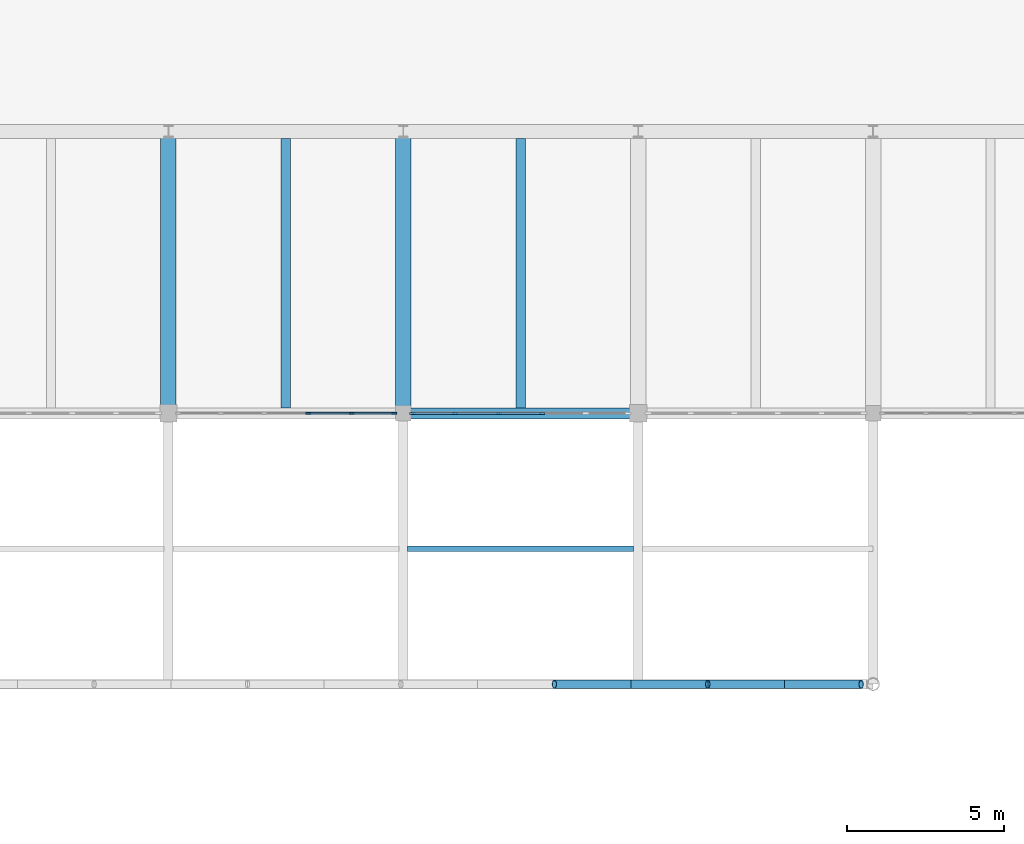
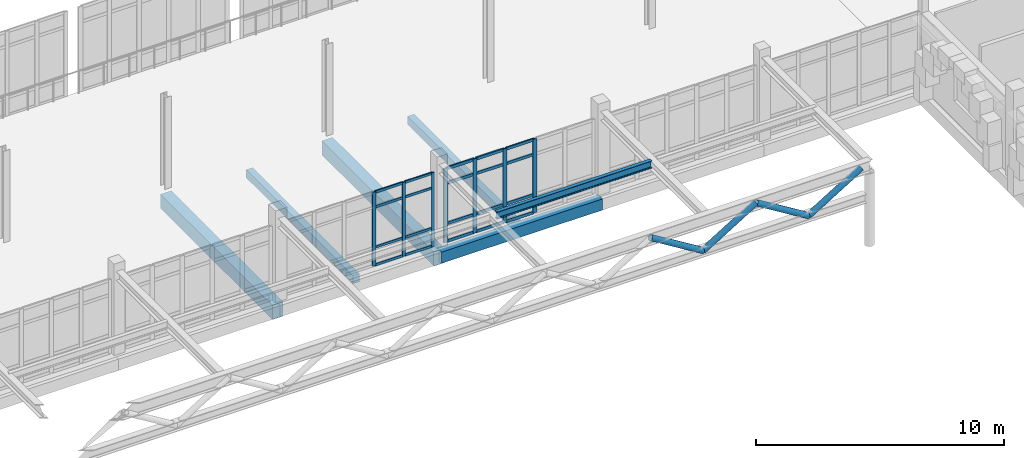
# One storey, part 29 of 128: 31 members, 6 beams, 2 elements without a shape of their own.
"""IFC4 building model written with IfcOpenShell, lengths in metres."""

from ifc_helpers import new_model, si_unit, direction, frame, origin, origin_2d, place, context, subcontext, project, spatial, rectangle, hollow_circle, i_section, extrude, material, layer, layer_set, material_profile, profile_set, type_object, element, aggregate, save


model = new_model("IFC4")

# Units and contexts
model_context = context("Model", 3, precision=1e-05, world=origin(), true_north=direction((0.0, 1.0)))
body_context = subcontext(model_context, "Body", "Model", "MODEL_VIEW")
ifc_project = project(units=[si_unit("LENGTHUNIT", "METRE"), si_unit("AREAUNIT", "SQUARE_METRE"), si_unit("VOLUMEUNIT", "CUBIC_METRE"), si_unit("PLANEANGLEUNIT", "RADIAN"), si_unit("MASSUNIT", "GRAM", prefix="KILO")], contexts=[model_context])

# Site, building, storey
site_placement = place(None, origin())
site = spatial("IfcSite", under=ifc_project, at=site_placement, CompositionType="ELEMENT")
building_placement = place(site_placement, origin())
building = spatial("IfcBuilding", under=site, at=building_placement, Name="Dalvernix Boulevard General Hospital", CompositionType="ELEMENT")
storey_placement = place(building_placement, frame((0.0, 0.0, 4.800048828125)))
storey = spatial("IfcBuildingStorey", under=building, at=storey_placement, Name="L01", CompositionType="ELEMENT", Elevation=4.800048828125)

# Beams
ifc_material_1 = material(Name="Concrete C35/45", Category="concrete")
ifc_material_profile_1 = material_profile(ifc_material_1, rectangle(XDim=0.5, YDim=0.699951171875, at=origin_2d()), Name="RCB 500x700")
ifc_profile_set_1 = profile_set([ifc_material_profile_1], Name="Concrete C35/45")
beam_type_1 = type_object("IfcBeamType", Name="BM-B-01-I", PredefinedType="BEAM", material=ifc_profile_set_1)
for number, where, z_axis, x_axis, name in (
    (1, (82.5, 22.5, -0.650146484375), (0.0, 1.0, 0.0), (-1.0, 0.0, 0.0), "L01 N-S girder 12:D-E"),
    (2, (90.0, 22.5, -0.650146484375), (0.0, 1.0, 0.0), (-1.0, 0.0, 0.0), "L01 N-S girder 13:D-E"),
):
    element("IfcBeam", number, at=place(storey_placement, frame(where, z_axis=z_axis, x_axis=x_axis)), inside=storey, type_object=beam_type_1, Name=name, PredefinedType="BEAM", context=body_context, shape_type="SweptSolid", body=[
        extrude(rectangle(XDim=0.5, YDim=0.699951171875, at=origin_2d()), origin(), (0.0, 0.0, 1.0), 9.0),
    ])
ifc_material_profile_2 = material_profile(ifc_material_1, rectangle(XDim=0.300048828125, YDim=0.39990234375, at=origin_2d()), Name="RCB 300x400")
ifc_profile_set_2 = profile_set([ifc_material_profile_2], Name="Concrete C35/45")
beam_type_2 = type_object("IfcBeamType", Name="BM-JB-01", PredefinedType="JOIST", material=ifc_profile_set_2)
for number, where, z_axis, x_axis, name in (
    (3, (86.25, 22.675048828125, -0.5), (0.0, 1.0, 0.0), (-1.0, 0.0, 0.0), "L01 secondary floor beam 12-D"),
    (4, (93.75, 22.675048828125, -0.5), (0.0, 1.0, 0.0), (-1.0, 0.0, 0.0), "L01 secondary floor beam 13-D"),
):
    element("IfcBeam", number, at=place(storey_placement, frame(where, z_axis=z_axis, x_axis=x_axis)), inside=storey, type_object=beam_type_2, Name=name, PredefinedType="JOIST", context=body_context, shape_type="SweptSolid", body=[
        extrude(rectangle(XDim=0.300048828125, YDim=0.39990234375, at=origin_2d()), origin(), (0.0, 0.0, 1.0), 8.599853515625),
    ])
ifc_material_2 = material(Name="Steel S355", Category="steel")
ifc_material_profile_3 = material_profile(ifc_material_2, i_section(OverallWidth=0.169921875, OverallDepth=0.360107421875, WebThickness=0.008056640625, FlangeThickness=0.0126953125, FilletRadius=0.01806640625, at=origin_2d()), Name="IPE 360")
ifc_profile_set_3 = profile_set([ifc_material_profile_3], Name="Steel S355")
beam_type_3 = type_object("IfcBeamType", Name="BM-RB-08", PredefinedType="BEAM", material=ifc_profile_set_3)
beam_1_placement = place(storey_placement, frame((90.14208984375, 18.179931640625, 4.0), z_axis=(1.0, 0.0, 0.0), x_axis=(0.0, 1.0, 0.0)))
element("IfcBeam", 5, at=beam_1_placement, inside=storey, type_object=beam_type_3, Name="Porte-cochere canopy purlin 4", PredefinedType="BEAM", context=body_context, shape_type="SweptSolid", body=[
    extrude(i_section(OverallWidth=0.169921875, OverallDepth=0.360107421875, WebThickness=0.008056640625, FlangeThickness=0.0126953125, FilletRadius=0.01806640625, at=origin_2d()), origin(), (0.0, 0.0, 1.0), 7.2158203125),
])
ifc_material_profile_4 = material_profile(ifc_material_1, rectangle(XDim=0.35009765625, YDim=0.550048828125, at=origin_2d()), Name="RCB 350x550")
ifc_profile_set_4 = profile_set([ifc_material_profile_4], Name="Concrete C35/45")
beam_type_4 = type_object("IfcBeamType", Name="BM-SB-01-E", PredefinedType="SPANDREL", material=ifc_profile_set_4)
beam_2_placement = place(storey_placement, frame((90.0, 22.5, -0.574951171875), z_axis=(1.0, 0.0, 0.0), x_axis=(0.0, 1.0, 0.0)))
element("IfcBeam", 6, at=beam_2_placement, inside=storey, type_object=beam_type_4, Name="L01 E-W girder D:13-14", PredefinedType="SPANDREL", context=body_context, shape_type="SweptSolid", body=[
    extrude(rectangle(XDim=0.35009765625, YDim=0.550048828125, at=origin_2d()), origin(), (0.0, 0.0, 1.0), 7.5),
])

# Curtain wall, members
ifc_material_3 = material(Name="Thermally broken aluminium and solar-control glass curtain wall", Category="aluminium")
ifc_layer_1 = layer(ifc_material_3, 0.159912109375)
ifc_layer_set_1 = layer_set([ifc_layer_1], Name="Thermally broken aluminium and solar-control glass curtain wall (CW-CW-A-70x36)")
curtain_wall_type_1 = type_object("IfcCurtainWallType", Name="CW-CW-A-70x36", PredefinedType="USERDEFINED", material=ifc_layer_set_1)
curtain_wall_1_placement = place(storey_placement, origin())
curtain_wall_1 = element("IfcCurtainWall", 7, at=curtain_wall_1_placement, inside=storey, type_object=curtain_wall_type_1, Name="L01 curtain wall CW-A-70x36 11-3", ObjectType="GLAZED FACADE", PredefinedType="USERDEFINED")
ifc_material_4 = material(Name="Aluminium EN AW-6060", Category="aluminium")
ifc_material_profile_5 = material_profile(ifc_material_4, rectangle(XDim=0.06005859375, YDim=0.159912109375, at=origin_2d()), Name="ALU MULL 60x160")
ifc_profile_set_5 = profile_set([ifc_material_profile_5], Name="Aluminium EN AW-6060")
member_type_1 = type_object("IfcMemberType", Name="MEM-CW-M1", PredefinedType="MULLION", material=ifc_profile_set_5)
member_1_placement = place(storey_placement, frame((89.7099609375, 22.5, 0.0), z_axis=(0.0, 0.0, 1.0), x_axis=(0.0, -1.0, 0.0)))
member_1 = element("IfcMember", 8, at=member_1_placement, type_object=member_type_1, Name="CW-A-70x36 mullion 1", PredefinedType="MULLION", context=body_context, shape_type="SweptSolid", body=[
    extrude(rectangle(XDim=0.06005859375, YDim=0.159912109375, at=origin_2d()), origin(), (0.0, 0.0, 1.0), 3.6298828125),
])
member_2_placement = place(storey_placement, frame((88.34912109375, 22.5, 0.0), z_axis=(0.0, 0.0, 1.0), x_axis=(0.0, -1.0, 0.0)))
member_2 = element("IfcMember", 9, at=member_2_placement, type_object=member_type_1, Name="CW-A-70x36 mullion 2", PredefinedType="MULLION", context=body_context, shape_type="SweptSolid", body=[
    extrude(rectangle(XDim=0.06005859375, YDim=0.159912109375, at=origin_2d()), origin(), (0.0, 0.0, 1.0), 3.6298828125),
])
member_3_placement = place(storey_placement, frame((86.9580078125, 22.5, 0.0), z_axis=(0.0, 0.0, 1.0), x_axis=(0.0, -1.0, 0.0)))
member_3 = element("IfcMember", 10, at=member_3_placement, type_object=member_type_1, Name="CW-A-70x36 mullion 3", PredefinedType="MULLION", context=body_context, shape_type="SweptSolid", body=[
    extrude(rectangle(XDim=0.06005859375, YDim=0.159912109375, at=origin_2d()), origin(), (0.0, 0.0, 1.0), 3.6298828125),
])

ifc_layer_2 = layer(ifc_material_3, 0.179931640625)
ifc_layer_set_2 = layer_set([ifc_layer_2], Name="Thermally broken aluminium and solar-control glass curtain wall (CW-CW-B-70x36)")
curtain_wall_type_2 = type_object("IfcCurtainWallType", Name="CW-CW-B-70x36", PredefinedType="USERDEFINED", material=ifc_layer_set_2)
curtain_wall_2_placement = place(storey_placement, origin())
curtain_wall_2 = element("IfcCurtainWall", 11, at=curtain_wall_2_placement, inside=storey, type_object=curtain_wall_type_2, Name="L01 curtain wall CW-B-70x36 12-3", ObjectType="GLAZED FACADE", PredefinedType="USERDEFINED")
ifc_material_profile_6 = material_profile(ifc_material_4, rectangle(XDim=0.06494140625, YDim=0.179931640625, at=origin_2d()), Name="ALU MULL 65x180")
ifc_profile_set_6 = profile_set([ifc_material_profile_6], Name="Aluminium EN AW-6060")
member_type_2 = type_object("IfcMemberType", Name="MEM-CW-M2", PredefinedType="MULLION", material=ifc_profile_set_6)
member_4_placement = place(storey_placement, frame((94.43310546875, 22.5, 0.0), z_axis=(0.0, 0.0, 1.0), x_axis=(0.0, -1.0, 0.0)))
member_4 = element("IfcMember", 12, at=member_4_placement, type_object=member_type_2, Name="CW-B-70x36 mullion 3", PredefinedType="MULLION", context=body_context, shape_type="SweptSolid", body=[
    extrude(rectangle(XDim=0.06494140625, YDim=0.179931640625, at=origin_2d()), origin(), (0.0, 0.0, 1.0), 3.6298828125),
])
member_5_placement = place(storey_placement, frame((93.0419921875, 22.5, 0.0), z_axis=(0.0, 0.0, 1.0), x_axis=(0.0, -1.0, 0.0)))
member_5 = element("IfcMember", 13, at=member_5_placement, type_object=member_type_2, Name="CW-B-70x36 mullion 4", PredefinedType="MULLION", context=body_context, shape_type="SweptSolid", body=[
    extrude(rectangle(XDim=0.06494140625, YDim=0.179931640625, at=origin_2d()), origin(), (0.0, 0.0, 1.0), 3.6298828125),
])
member_6_placement = place(storey_placement, frame((91.65087890625, 22.5, 0.0), z_axis=(0.0, 0.0, 1.0), x_axis=(0.0, -1.0, 0.0)))
member_6 = element("IfcMember", 14, at=member_6_placement, type_object=member_type_2, Name="CW-B-70x36 mullion 5", PredefinedType="MULLION", context=body_context, shape_type="SweptSolid", body=[
    extrude(rectangle(XDim=0.06494140625, YDim=0.179931640625, at=origin_2d()), origin(), (0.0, 0.0, 1.0), 3.6298828125),
])
member_7_placement = place(storey_placement, frame((90.29248046875, 22.5, 0.0), z_axis=(0.0, 0.0, 1.0), x_axis=(0.0, -1.0, 0.0)))
member_7 = element("IfcMember", 15, at=member_7_placement, type_object=member_type_2, Name="CW-B-70x36 mullion 6", PredefinedType="MULLION", context=body_context, shape_type="SweptSolid", body=[
    extrude(rectangle(XDim=0.06494140625, YDim=0.179931640625, at=origin_2d()), origin(), (0.0, 0.0, 1.0), 3.6298828125),
])

# Member
ifc_material_profile_7 = material_profile(ifc_material_4, rectangle(XDim=0.06005859375, YDim=0.1201171875, at=origin_2d()), Name="ALU TRAN 60x120")
ifc_profile_set_7 = profile_set([ifc_material_profile_7], Name="Aluminium EN AW-6060")
member_type_3 = type_object("IfcMemberType", Name="MEM-CW-T1", PredefinedType="USERDEFINED", material=ifc_profile_set_7)
member_8_placement = place(storey_placement, frame((89.679931640625, 22.5, 0.030029296875), z_axis=(-1.0, 0.0, 0.0), x_axis=(0.0, -1.0, 0.0)))
member_8 = element("IfcMember", 16, at=member_8_placement, type_object=member_type_3, Name="CW-A-70x36 transom 1.1", ObjectType="TRANSOM", PredefinedType="USERDEFINED", context=body_context, shape_type="SweptSolid", body=[
    extrude(rectangle(XDim=0.06005859375, YDim=0.1201171875, at=origin_2d()), origin(), (0.0, 0.0, 1.0), 1.301025390625),
])

member_9_placement = place(storey_placement, frame((89.679931640625, 22.5, 0.89990234375), z_axis=(-1.0, 0.0, 0.0), x_axis=(0.0, -1.0, 0.0)))
member_9 = element("IfcMember", 17, at=member_9_placement, type_object=member_type_3, Name="CW-A-70x36 transom 1.2", ObjectType="TRANSOM", PredefinedType="USERDEFINED", context=body_context, shape_type="SweptSolid", body=[
    extrude(rectangle(XDim=0.06005859375, YDim=0.1201171875, at=origin_2d()), origin(), (0.0, 0.0, 1.0), 1.301025390625),
])

member_10_placement = place(storey_placement, frame((89.679931640625, 22.5, 2.8798828125), z_axis=(-1.0, 0.0, 0.0), x_axis=(0.0, -1.0, 0.0)))
member_10 = element("IfcMember", 18, at=member_10_placement, type_object=member_type_3, Name="CW-A-70x36 transom 1.3", ObjectType="TRANSOM", PredefinedType="USERDEFINED", context=body_context, shape_type="SweptSolid", body=[
    extrude(rectangle(XDim=0.06005859375, YDim=0.1201171875, at=origin_2d()), origin(), (0.0, 0.0, 1.0), 1.301025390625),
])

member_11_placement = place(storey_placement, frame((89.679931640625, 22.5, 3.599853515625), z_axis=(-1.0, 0.0, 0.0), x_axis=(0.0, -1.0, 0.0)))
member_11 = element("IfcMember", 19, at=member_11_placement, type_object=member_type_3, Name="CW-A-70x36 transom 1.4", ObjectType="TRANSOM", PredefinedType="USERDEFINED", context=body_context, shape_type="SweptSolid", body=[
    extrude(rectangle(XDim=0.06005859375, YDim=0.1201171875, at=origin_2d()), origin(), (0.0, 0.0, 1.0), 1.301025390625),
])

member_12_placement = place(storey_placement, frame((88.319091796875, 22.5, 0.030029296875), z_axis=(-1.0, 0.0, 0.0), x_axis=(0.0, -1.0, 0.0)))
member_12 = element("IfcMember", 20, at=member_12_placement, type_object=member_type_3, Name="CW-A-70x36 transom 2.1", ObjectType="TRANSOM", PredefinedType="USERDEFINED", context=body_context, shape_type="SweptSolid", body=[
    extrude(rectangle(XDim=0.06005859375, YDim=0.1201171875, at=origin_2d()), origin(), (0.0, 0.0, 1.0), 1.3310546875),
])

member_13_placement = place(storey_placement, frame((88.319091796875, 22.5, 0.89990234375), z_axis=(-1.0, 0.0, 0.0), x_axis=(0.0, -1.0, 0.0)))
member_13 = element("IfcMember", 21, at=member_13_placement, type_object=member_type_3, Name="CW-A-70x36 transom 2.2", ObjectType="TRANSOM", PredefinedType="USERDEFINED", context=body_context, shape_type="SweptSolid", body=[
    extrude(rectangle(XDim=0.06005859375, YDim=0.1201171875, at=origin_2d()), origin(), (0.0, 0.0, 1.0), 1.3310546875),
])

member_14_placement = place(storey_placement, frame((88.319091796875, 22.5, 2.8798828125), z_axis=(-1.0, 0.0, 0.0), x_axis=(0.0, -1.0, 0.0)))
member_14 = element("IfcMember", 22, at=member_14_placement, type_object=member_type_3, Name="CW-A-70x36 transom 2.3", ObjectType="TRANSOM", PredefinedType="USERDEFINED", context=body_context, shape_type="SweptSolid", body=[
    extrude(rectangle(XDim=0.06005859375, YDim=0.1201171875, at=origin_2d()), origin(), (0.0, 0.0, 1.0), 1.3310546875),
])

member_15_placement = place(storey_placement, frame((88.319091796875, 22.5, 3.599853515625), z_axis=(-1.0, 0.0, 0.0), x_axis=(0.0, -1.0, 0.0)))
member_15 = element("IfcMember", 23, at=member_15_placement, type_object=member_type_3, Name="CW-A-70x36 transom 2.4", ObjectType="TRANSOM", PredefinedType="USERDEFINED", context=body_context, shape_type="SweptSolid", body=[
    extrude(rectangle(XDim=0.06005859375, YDim=0.1201171875, at=origin_2d()), origin(), (0.0, 0.0, 1.0), 1.3310546875),
])

aggregate(curtain_wall_1, [member_1, member_2, member_3, member_8, member_9, member_10, member_11, member_12, member_13, member_14, member_15])

ifc_material_profile_8 = material_profile(ifc_material_4, rectangle(XDim=0.06494140625, YDim=0.139892578125, at=origin_2d()), Name="ALU TRAN 65x140")
ifc_profile_set_8 = profile_set([ifc_material_profile_8], Name="Aluminium EN AW-6060")
member_type_4 = type_object("IfcMemberType", Name="MEM-CW-T2", PredefinedType="USERDEFINED", material=ifc_profile_set_8)
member_16_placement = place(storey_placement, frame((94.400390625, 22.5, 0.032470703125), z_axis=(-1.0, 0.0, 0.0), x_axis=(0.0, -1.0, 0.0)))
member_16 = element("IfcMember", 24, at=member_16_placement, type_object=member_type_4, Name="CW-B-70x36 transom 3.1", ObjectType="TRANSOM", PredefinedType="USERDEFINED", context=body_context, shape_type="SweptSolid", body=[
    extrude(rectangle(XDim=0.06494140625, YDim=0.139892578125, at=origin_2d()), origin(), (0.0, 0.0, 1.0), 1.325927734375),
])

member_17_placement = place(storey_placement, frame((94.400390625, 22.5, 0.89990234375), z_axis=(-1.0, 0.0, 0.0), x_axis=(0.0, -1.0, 0.0)))
member_17 = element("IfcMember", 25, at=member_17_placement, type_object=member_type_4, Name="CW-B-70x36 transom 3.2", ObjectType="TRANSOM", PredefinedType="USERDEFINED", context=body_context, shape_type="SweptSolid", body=[
    extrude(rectangle(XDim=0.06494140625, YDim=0.139892578125, at=origin_2d()), origin(), (0.0, 0.0, 1.0), 1.325927734375),
])

member_18_placement = place(storey_placement, frame((94.400390625, 22.5, 2.8798828125), z_axis=(-1.0, 0.0, 0.0), x_axis=(0.0, -1.0, 0.0)))
member_18 = element("IfcMember", 26, at=member_18_placement, type_object=member_type_4, Name="CW-B-70x36 transom 3.3", ObjectType="TRANSOM", PredefinedType="USERDEFINED", context=body_context, shape_type="SweptSolid", body=[
    extrude(rectangle(XDim=0.06494140625, YDim=0.139892578125, at=origin_2d()), origin(), (0.0, 0.0, 1.0), 1.325927734375),
])

member_19_placement = place(storey_placement, frame((94.400390625, 22.5, 3.597412109375), z_axis=(-1.0, 0.0, 0.0), x_axis=(0.0, -1.0, 0.0)))
member_19 = element("IfcMember", 27, at=member_19_placement, type_object=member_type_4, Name="CW-B-70x36 transom 3.4", ObjectType="TRANSOM", PredefinedType="USERDEFINED", context=body_context, shape_type="SweptSolid", body=[
    extrude(rectangle(XDim=0.06494140625, YDim=0.139892578125, at=origin_2d()), origin(), (0.0, 0.0, 1.0), 1.325927734375),
])

member_20_placement = place(storey_placement, frame((93.009521484375, 22.5, 0.032470703125), z_axis=(-1.0, 0.0, 0.0), x_axis=(0.0, -1.0, 0.0)))
member_20 = element("IfcMember", 28, at=member_20_placement, type_object=member_type_4, Name="CW-B-70x36 transom 4.1", ObjectType="TRANSOM", PredefinedType="USERDEFINED", context=body_context, shape_type="SweptSolid", body=[
    extrude(rectangle(XDim=0.06494140625, YDim=0.139892578125, at=origin_2d()), origin(), (0.0, 0.0, 1.0), 1.325927734375),
])

member_21_placement = place(storey_placement, frame((93.009521484375, 22.5, 0.89990234375), z_axis=(-1.0, 0.0, 0.0), x_axis=(0.0, -1.0, 0.0)))
member_21 = element("IfcMember", 29, at=member_21_placement, type_object=member_type_4, Name="CW-B-70x36 transom 4.2", ObjectType="TRANSOM", PredefinedType="USERDEFINED", context=body_context, shape_type="SweptSolid", body=[
    extrude(rectangle(XDim=0.06494140625, YDim=0.139892578125, at=origin_2d()), origin(), (0.0, 0.0, 1.0), 1.325927734375),
])

member_22_placement = place(storey_placement, frame((93.009521484375, 22.5, 2.8798828125), z_axis=(-1.0, 0.0, 0.0), x_axis=(0.0, -1.0, 0.0)))
member_22 = element("IfcMember", 30, at=member_22_placement, type_object=member_type_4, Name="CW-B-70x36 transom 4.3", ObjectType="TRANSOM", PredefinedType="USERDEFINED", context=body_context, shape_type="SweptSolid", body=[
    extrude(rectangle(XDim=0.06494140625, YDim=0.139892578125, at=origin_2d()), origin(), (0.0, 0.0, 1.0), 1.325927734375),
])

member_23_placement = place(storey_placement, frame((93.009521484375, 22.5, 3.597412109375), z_axis=(-1.0, 0.0, 0.0), x_axis=(0.0, -1.0, 0.0)))
member_23 = element("IfcMember", 31, at=member_23_placement, type_object=member_type_4, Name="CW-B-70x36 transom 4.4", ObjectType="TRANSOM", PredefinedType="USERDEFINED", context=body_context, shape_type="SweptSolid", body=[
    extrude(rectangle(XDim=0.06494140625, YDim=0.139892578125, at=origin_2d()), origin(), (0.0, 0.0, 1.0), 1.325927734375),
])

member_24_placement = place(storey_placement, frame((91.618408203125, 22.5, 0.032470703125), z_axis=(-1.0, 0.0, 0.0), x_axis=(0.0, -1.0, 0.0)))
member_24 = element("IfcMember", 32, at=member_24_placement, type_object=member_type_4, Name="CW-B-70x36 transom 5.1", ObjectType="TRANSOM", PredefinedType="USERDEFINED", context=body_context, shape_type="SweptSolid", body=[
    extrude(rectangle(XDim=0.06494140625, YDim=0.139892578125, at=origin_2d()), origin(), (0.0, 0.0, 1.0), 1.29345703125),
])

member_25_placement = place(storey_placement, frame((91.618408203125, 22.5, 0.89990234375), z_axis=(-1.0, 0.0, 0.0), x_axis=(0.0, -1.0, 0.0)))
member_25 = element("IfcMember", 33, at=member_25_placement, type_object=member_type_4, Name="CW-B-70x36 transom 5.2", ObjectType="TRANSOM", PredefinedType="USERDEFINED", context=body_context, shape_type="SweptSolid", body=[
    extrude(rectangle(XDim=0.06494140625, YDim=0.139892578125, at=origin_2d()), origin(), (0.0, 0.0, 1.0), 1.29345703125),
])

member_26_placement = place(storey_placement, frame((91.618408203125, 22.5, 2.8798828125), z_axis=(-1.0, 0.0, 0.0), x_axis=(0.0, -1.0, 0.0)))
member_26 = element("IfcMember", 34, at=member_26_placement, type_object=member_type_4, Name="CW-B-70x36 transom 5.3", ObjectType="TRANSOM", PredefinedType="USERDEFINED", context=body_context, shape_type="SweptSolid", body=[
    extrude(rectangle(XDim=0.06494140625, YDim=0.139892578125, at=origin_2d()), origin(), (0.0, 0.0, 1.0), 1.29345703125),
])

member_27_placement = place(storey_placement, frame((91.618408203125, 22.5, 3.597412109375), z_axis=(-1.0, 0.0, 0.0), x_axis=(0.0, -1.0, 0.0)))
member_27 = element("IfcMember", 35, at=member_27_placement, type_object=member_type_4, Name="CW-B-70x36 transom 5.4", ObjectType="TRANSOM", PredefinedType="USERDEFINED", context=body_context, shape_type="SweptSolid", body=[
    extrude(rectangle(XDim=0.06494140625, YDim=0.139892578125, at=origin_2d()), origin(), (0.0, 0.0, 1.0), 1.29345703125),
])

aggregate(curtain_wall_2, [member_4, member_5, member_6, member_7, member_16, member_17, member_18, member_19, member_20, member_21, member_22, member_23, member_24, member_25, member_26, member_27])

# Members
ifc_material_profile_9 = material_profile(ifc_material_2, hollow_circle(Radius=0.136474609375, WallThickness=0.010009765625, at=origin_2d()), Name="CHS 273.0x10.0")
ifc_profile_set_9 = profile_set([ifc_material_profile_9], Name="Steel S355")
member_type_5 = type_object("IfcMemberType", Name="MEM-STP-01", PredefinedType="BRACE", material=ifc_profile_set_9)
for number, where, z_axis, x_axis, name in (
    (36, (94.82275390625, 13.85009765625, 3.8798828125), (0.852777131159, 0.0, -0.522274989418), (0.0, 1.0, 0.0), "ROOF TRUSS Porte-cochere portal web diagonal 12"),
    (37, (97.27197265625, 13.85009765625, 2.3798828125), (0.852777131159, 0.0, 0.522274989418), (0.0, 1.0, 0.0), "ROOF TRUSS Porte-cochere portal web diagonal 13"),
):
    element("IfcMember", number, at=place(storey_placement, frame(where, z_axis=z_axis, x_axis=x_axis)), inside=storey, type_object=member_type_5, Name=name, PredefinedType="BRACE", context=body_context, shape_type="SweptSolid", body=[
        extrude(hollow_circle(Radius=0.136474609375, WallThickness=0.010009765625, at=origin_2d()), origin(), (0.0, 0.0, 1.0), 2.8720703125),
    ])
for number, where, z_axis, x_axis, name in (
    (38, (99.72119140625, 13.85009765625, 3.8798828125), (0.852800315741, 0.0, -0.522237131457), (0.0, 1.0, 0.0), "ROOF TRUSS Porte-cochere portal web diagonal 14"),
    (39, (102.170654296875, 13.85009765625, 2.3798828125), (0.852800315741, 0.0, 0.522237131457), (0.0, 1.0, 0.0), "ROOF TRUSS Porte-cochere portal web diagonal 15"),
):
    element("IfcMember", number, at=place(storey_placement, frame(where, z_axis=z_axis, x_axis=x_axis)), inside=storey, type_object=member_type_5, Name=name, PredefinedType="BRACE", context=body_context, shape_type="SweptSolid", body=[
        extrude(hollow_circle(Radius=0.136474609375, WallThickness=0.010009765625, at=origin_2d()), origin(), (0.0, 0.0, 1.0), 2.872314453125),
    ])

save(model, "model.ifc")
